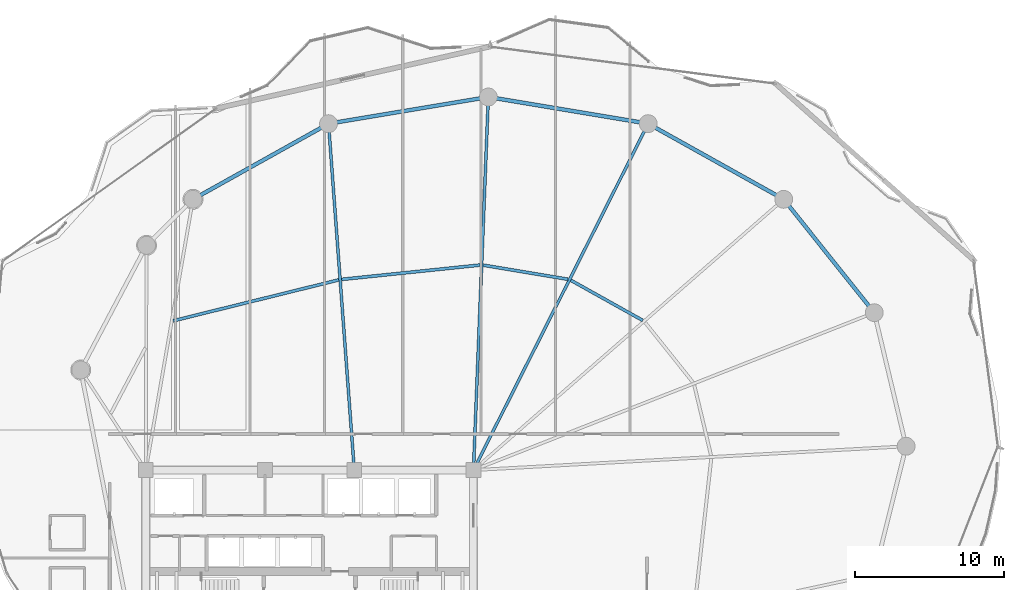
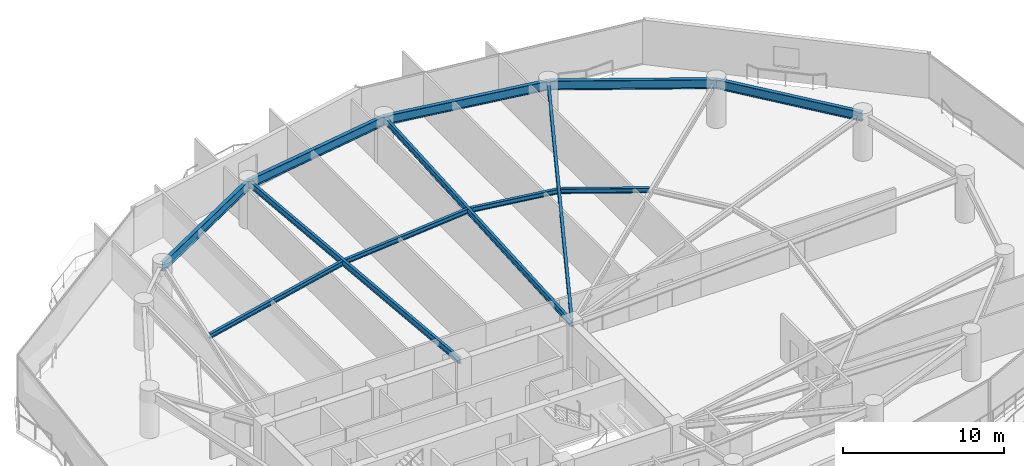
# One storey, part 20 of 33: 12 beams.
"""IFC4 building model written with IfcOpenShell, lengths in metres."""

import ifcopenshell
import ifcopenshell.guid

model = None  # the IFC model being written
_history = None  # IfcOwnerHistory: only IFC2X3 demands one
_inside = {}  # id of a spatial element -> (the spatial element, [elements in it])
_under = {}  # id of a project, library or spatial element -> (it, [spatial elements below it])
_declared = {}  # id of a project -> (the project, [libraries it declares])
_typed = {}  # id of a type object -> (the type object, [elements of that type])
_made_of = {}  # id of a material, layer set ... -> (it, [elements and type objects made of it])


def new_model(schema):
    """Start an empty IFC model of exactly this schema.

    Asked for "IFC4X3", IfcOpenShell would pick the latest addendum, in which some entities
    have other attributes; the version numbers below select the first issue.
    IFC2X3 requires an IfcOwnerHistory on every rooted entity: one is made here for all.
    """
    global model, _history
    if schema == "IFC4X3":
        model = ifcopenshell.file(schema_version=(4, 3, 0, 0))
    else:
        model = ifcopenshell.file(schema=schema)
    _inside.clear()
    _under.clear()
    _declared.clear()
    _typed.clear()
    _made_of.clear()
    _history = None
    if model.schema == "IFC2X3":
        org = make("IfcOrganization", Name="unknown")
        user = make(
            "IfcPersonAndOrganization",
            ThePerson=make("IfcPerson", FamilyName="unknown"),
            TheOrganization=org,
        )
        app = make(
            "IfcApplication",
            ApplicationDeveloper=org,
            Version="unknown",
            ApplicationFullName="unknown",
            ApplicationIdentifier="unknown",
        )
        _history = make(
            "IfcOwnerHistory",
            OwningUser=user,
            OwningApplication=app,
            ChangeAction="ADDED",
            CreationDate=0,
        )
    return model


def make(cls, **values):
    """One entity of the class cls with the attributes given. An attribute that is None is left unset."""
    return model.create_entity(
        cls, **{name: value for name, value in values.items() if value is not None}
    )


def rooted(cls, **values):
    """An entity with a GlobalId (a new one), such as an element, a storey or a relation."""
    return make(cls, GlobalId=ifcopenshell.guid.new(), OwnerHistory=_history, **values)


def si_unit(unit_type, name, prefix=None):
    """IfcSIUnit, for example si_unit("LENGTHUNIT", "METRE", prefix="MILLI")."""
    return make("IfcSIUnit", UnitType=unit_type, Prefix=prefix, Name=name)


def assignment(units):
    """IfcUnitAssignment: the units of a project."""
    return None if units is None else make("IfcUnitAssignment", Units=units)


def point(xyz):
    """IfcCartesianPoint."""
    return None if xyz is None else make("IfcCartesianPoint", Coordinates=xyz)


def direction(xyz):
    """IfcDirection."""
    return None if xyz is None else make("IfcDirection", DirectionRatios=xyz)


def frame(location, z_axis=None, x_axis=None):
    """IfcAxis2Placement3D, a coordinate frame: its origin and axes. An axis left out is left unset."""
    return make(
        "IfcAxis2Placement3D",
        Location=point(location),
        Axis=direction(z_axis),
        RefDirection=direction(x_axis),
    )


def frame_2d(location, x_axis=None):
    """IfcAxis2Placement2D, a coordinate frame in the plane: its origin and x axis."""
    return make(
        "IfcAxis2Placement2D", Location=point(location), RefDirection=direction(x_axis)
    )


def origin():
    """The frame at (0, 0, 0) with its axes left unset."""
    return frame((0.0, 0.0, 0.0))


def origin_2d():
    """The frame at (0, 0) in the plane with its x axis left unset."""
    return frame_2d((0.0, 0.0))


def place(relative_to, where):
    """IfcLocalPlacement: puts the frame where relative to a parent placement (None: the world)."""
    return make(
        "IfcLocalPlacement", PlacementRelTo=relative_to, RelativePlacement=where
    )


def context(
    kind, dimensions, precision=None, world=None, true_north=None, identifier=None
):
    """IfcGeometricRepresentationContext, for example the 3D "Model" context."""
    return make(
        "IfcGeometricRepresentationContext",
        ContextIdentifier=identifier,
        ContextType=kind,
        CoordinateSpaceDimension=dimensions,
        Precision=precision,
        WorldCoordinateSystem=world,
        TrueNorth=true_north,
    )


def subcontext(parent, identifier, kind, view, scale=None):
    """IfcGeometricRepresentationSubContext, for example "Body" below "Model"."""
    return make(
        "IfcGeometricRepresentationSubContext",
        ContextIdentifier=identifier,
        ContextType=kind,
        ParentContext=parent,
        TargetScale=scale,
        TargetView=view,
    )


def project(units=None, contexts=None):
    """IfcProject with its units and contexts."""
    return rooted(
        "IfcProject",
        Name="project",
        RepresentationContexts=contexts,
        UnitsInContext=assignment(units),
    )


def spatial(cls, under=None, at=None, **own):
    """A site, building, storey or space (cls), placed at a placement, below another one or the project."""
    s = rooted(cls, ObjectPlacement=at, **own)
    if under is not None:
        _under.setdefault(under.id(), (under, []))[1].append(s)
    return s


def profile(cls, at=None, kind="AREA", **sizes):
    """A parametric profile (cls). Its sizes go by their IFC names, for example OverallWidth=200.0."""
    return make(cls, ProfileType=kind, Position=at, **sizes)


def i_section(**sizes):
    """IfcIShapeProfileDef."""
    return profile("IfcIShapeProfileDef", **sizes)


def extrude(swept, where, along, depth):
    """IfcExtrudedAreaSolid: the profile swept, set in the frame where, extruded along a direction by depth."""
    return make(
        "IfcExtrudedAreaSolid",
        SweptArea=swept,
        Position=where,
        ExtrudedDirection=direction(along),
        Depth=depth,
    )


def shape(context_of_items, identifier, shape_type, items):
    """IfcShapeRepresentation: the items that make up one representation, for example the "Body"."""
    return make(
        "IfcShapeRepresentation",
        ContextOfItems=context_of_items,
        RepresentationIdentifier=identifier,
        RepresentationType=shape_type,
        Items=items,
    )


def material(Name=None, Category=None):
    """IfcMaterial."""
    return make("IfcMaterial", Name=Name, Category=Category)


def material_profile(
    of_material, cross_section, Name=None, Category=None, Priority=None
):
    """IfcMaterialProfile: a cross section and its material."""
    return make(
        "IfcMaterialProfile",
        Name=Name,
        Material=of_material,
        Profile=cross_section,
        Priority=Priority,
        Category=Category,
    )


def profile_set(profiles, Name=None, composite=None):
    """IfcMaterialProfileSet."""
    return make(
        "IfcMaterialProfileSet",
        Name=Name,
        MaterialProfiles=profiles,
        CompositeProfile=composite,
    )


def made_of(thing, what):
    """Note that an element or type object is made of a material, layer set ...; save() writes the relation."""
    if what is not None:
        _made_of.setdefault(what.id(), (what, []))[1].append(thing)
    return thing


def type_object(cls, material=None, **own):
    """A type object (cls), such as IfcWallType, which elements share."""
    return made_of(rooted(cls, **own), material)


def element(
    cls,
    number,
    at=None,
    inside=None,
    cuts=None,
    type_object=None,
    material=None,
    context=None,
    identifier="Body",
    shape_type=None,
    held_by="IfcProductDefinitionShape",
    body=None,
    shapes=None,
    **own,
):
    """One element of the class cls, such as IfcWall. Its Tag is "e" and its number.

    at: its placement. inside: the storey or other place that contains it. cuts: it is an
    opening in that element (IfcRelVoidsElement). A single representation is given by context,
    identifier, shape_type and body (its items); several are given by shapes. held_by: the class
    of the entity that holds the representations. save() writes the other relations.
    """
    e = rooted(cls, Tag="e%d" % number, ObjectPlacement=at, **own)
    if body is not None:
        shapes = [shape(context, identifier, shape_type, body)]
    if shapes is not None:
        e.Representation = make(held_by, Representations=shapes)
    if inside is not None:
        _inside.setdefault(inside.id(), (inside, []))[1].append(e)
    if cuts is not None:
        rooted(
            "IfcRelVoidsElement", RelatingBuildingElement=cuts, RelatedOpeningElement=e
        )
    if type_object is not None:
        _typed.setdefault(type_object.id(), (type_object, []))[1].append(e)
    return made_of(e, material)


def aggregate(whole, parts):
    """IfcRelAggregates: a whole, such as a stair, and the parts it consists of."""
    return rooted("IfcRelAggregates", RelatingObject=whole, RelatedObjects=parts)


def save(model, path):
    """Write the relations noted so far, then the file.

    IfcRelAggregates (storeys below a building ...), IfcRelContainedInSpatialStructure (elements
    in a storey), IfcRelDefinesByType, IfcRelAssociatesMaterial and IfcRelDeclares: one each for
    every whole, place, type object, material and project.
    """
    for whole, parts in _under.values():
        aggregate(whole, parts)
    for where, things in _inside.values():
        rooted(
            "IfcRelContainedInSpatialStructure",
            RelatedElements=things,
            RelatingStructure=where,
        )
    for kind, things in _typed.values():
        rooted("IfcRelDefinesByType", RelatedObjects=things, RelatingType=kind)
    for what, things in _made_of.values():
        rooted("IfcRelAssociatesMaterial", RelatedObjects=things, RelatingMaterial=what)
    for by, libraries in _declared.values():
        rooted("IfcRelDeclares", RelatingContext=by, RelatedDefinitions=libraries)
    model.write(path)


model = new_model("IFC4")

# Units and contexts
model_context = context("Model", 3, precision=1e-05, world=origin(), true_north=direction((0.0, 1.0)))
body_context = subcontext(model_context, "Body", "Model", "MODEL_VIEW")
ifc_project = project(units=[si_unit("LENGTHUNIT", "METRE"), si_unit("AREAUNIT", "SQUARE_METRE"), si_unit("VOLUMEUNIT", "CUBIC_METRE"), si_unit("PLANEANGLEUNIT", "RADIAN"), si_unit("MASSUNIT", "GRAM", prefix="KILO")], contexts=[model_context])

# Site, building, storey
site_placement = place(None, origin())
site = spatial("IfcSite", under=ifc_project, at=site_placement, CompositionType="ELEMENT")
building_placement = place(site_placement, origin())
building = spatial("IfcBuilding", under=site, at=building_placement, Name="Kazevale Care Tower and Concert Hall", CompositionType="ELEMENT")
storey_placement = place(building_placement, frame((0.0, 0.0, 149.39990234375)))
storey = spatial("IfcBuildingStorey", under=building, at=storey_placement, Name="L39", CompositionType="ELEMENT", Elevation=149.39990234375)

# Beams
ifc_material = material(Name="Steel ASTM A572 Gr 50", Category="steel")
ifc_material_profile_1 = material_profile(ifc_material, i_section(OverallWidth=0.19091796875, OverallDepth=0.4599609375, WebThickness=0.010009765625, FlangeThickness=0.01611328125, at=origin_2d()), Name="W460x82")
ifc_profile_set_1 = profile_set([ifc_material_profile_1], Name="Steel ASTM A572 Gr 50")
beam_type_1 = type_object("IfcBeamType", Name="Radial Floor Beam W460x82", PredefinedType="BEAM", material=ifc_profile_set_1)
beam_1_placement = place(storey_placement, frame((44.0, 36.39990234375, 3.130126953125), z_axis=(0.450281187568, 0.892886808124, 0.0), x_axis=(-0.892886808124, 0.450281187568, 0.0)))
element("IfcBeam", 1, at=beam_1_placement, inside=storey, type_object=beam_type_1, Name="beam:L39:rad:04", PredefinedType="BEAM", context=body_context, shape_type="SweptSolid", body=[
    extrude(i_section(OverallWidth=0.19091796875, OverallDepth=0.4599609375, WebThickness=0.010009765625, FlangeThickness=0.01611328125, at=origin_2d()), origin(), (0.0, 0.0, 1.0), 26.05029296875),
])
beam_2_placement = place(storey_placement, frame((44.0, 36.39990234375, 3.130126953125), z_axis=(0.039888311255, 0.99920414462, 0.0), x_axis=(-0.99920414462, 0.039888311255, 0.0)))
element("IfcBeam", 2, at=beam_2_placement, inside=storey, type_object=beam_type_1, Name="beam:L39:rad:05", PredefinedType="BEAM", context=body_context, shape_type="SweptSolid", body=[
    extrude(i_section(OverallWidth=0.19091796875, OverallDepth=0.4599609375, WebThickness=0.010009765625, FlangeThickness=0.01611328125, at=origin_2d()), origin(), (0.0, 0.0, 1.0), 25.070068359375),
])
beam_3_placement = place(storey_placement, frame((36.0, 36.39990234375, 3.130126953125), z_axis=(-0.074170876808, 0.997245547011, 0.0), x_axis=(-0.997245547011, -0.074170876808, 0.0)))
element("IfcBeam", 3, at=beam_3_placement, inside=storey, type_object=beam_type_1, Name="beam:L39:rad:06", PredefinedType="BEAM", context=body_context, shape_type="SweptSolid", body=[
    extrude(i_section(OverallWidth=0.19091796875, OverallDepth=0.4599609375, WebThickness=0.010009765625, FlangeThickness=0.01611328125, at=origin_2d()), origin(), (0.0, 0.0, 1.0), 23.32421875),
])
ifc_material_profile_2 = material_profile(ifc_material, i_section(OverallWidth=0.205078125, OverallDepth=0.35400390625, WebThickness=0.009521484375, FlangeThickness=0.016845703125, at=origin_2d()), Name="W360x79")
ifc_profile_set_2 = profile_set([ifc_material_profile_2], Name="Steel ASTM A572 Gr 50")
beam_type_2 = type_object("IfcBeamType", Name="Secondary Floor Joist W360x79", PredefinedType="JOIST", material=ifc_profile_set_2)
beam_4_placement = place(storey_placement, frame((55.364990234375, 46.449951171875, 3.18310546875), z_axis=(-0.873137755824, 0.487473547338, 0.0), x_axis=(-0.487473547338, -0.873137755824, 0.0)))
element("IfcBeam", 4, at=beam_4_placement, inside=storey, type_object=beam_type_2, Name="beam:L39:joist:03", PredefinedType="JOIST", context=body_context, shape_type="SweptSolid", body=[
    extrude(i_section(OverallWidth=0.205078125, OverallDepth=0.35400390625, WebThickness=0.009521484375, FlangeThickness=0.016845703125, at=origin_2d()), origin(), (0.0, 0.0, 1.0), 5.522705078125),
])
beam_5_placement = place(storey_placement, frame((50.347900390625, 49.2099609375, 3.18310546875), z_axis=(-0.986366476547, 0.164563586324, 0.0), x_axis=(-0.164563586324, -0.986366476547, 0.0)))
element("IfcBeam", 5, at=beam_5_placement, inside=storey, type_object=beam_type_2, Name="beam:L39:joist:04", PredefinedType="JOIST", context=body_context, shape_type="SweptSolid", body=[
    extrude(i_section(OverallWidth=0.205078125, OverallDepth=0.35400390625, WebThickness=0.009521484375, FlangeThickness=0.016845703125, at=origin_2d()), origin(), (0.0, 0.0, 1.0), 5.7724609375),
])
beam_6_placement = place(storey_placement, frame((44.446044921875, 50.1669921875, 3.18310546875), z_axis=(-0.994674810104, -0.10306319491, 0.0), x_axis=(0.10306319491, -0.994674810104, 0.0)))
element("IfcBeam", 6, at=beam_6_placement, inside=storey, type_object=beam_type_2, Name="beam:L39:joist:05", PredefinedType="JOIST", context=body_context, shape_type="SweptSolid", body=[
    extrude(i_section(OverallWidth=0.205078125, OverallDepth=0.35400390625, WebThickness=0.009521484375, FlangeThickness=0.016845703125, at=origin_2d()), origin(), (0.0, 0.0, 1.0), 9.3427734375),
])
beam_7_placement = place(storey_placement, frame((34.947021484375, 49.16796875, 3.18310546875), z_axis=(-0.970789504014, -0.239932779954, 0.0), x_axis=(0.239932779954, -0.970789504014, 0.0)))
element("IfcBeam", 7, at=beam_7_placement, inside=storey, type_object=beam_type_2, Name="beam:L39:joist:06", PredefinedType="JOIST", context=body_context, shape_type="SweptSolid", body=[
    extrude(i_section(OverallWidth=0.205078125, OverallDepth=0.35400390625, WebThickness=0.009521484375, FlangeThickness=0.016845703125, at=origin_2d()), origin(), (0.0, 0.0, 1.0), 11.43603515625),
])
ifc_material_profile_3 = material_profile(ifc_material, i_section(OverallWidth=0.256103515625, OverallDepth=0.693115234375, WebThickness=0.014404296875, FlangeThickness=0.023681640625, at=origin_2d()), Name="W690x170")
ifc_profile_set_3 = profile_set([ifc_material_profile_3], Name="Steel ASTM A572 Gr 50")
beam_type_3 = type_object("IfcBeamType", Name="Waist Ring Beam W690x170", PredefinedType="BEAM", material=ifc_profile_set_3)
beam_8_placement = place(storey_placement, frame((70.909912109375, 46.969970703125, 3.013671875), z_axis=(-0.624178340034, 0.781281895242, 0.0), x_axis=(-0.781281895242, -0.624178340034, 0.0)))
element("IfcBeam", 8, at=beam_8_placement, inside=storey, type_object=beam_type_3, Name="beam:L39:ring:02", PredefinedType="BEAM", context=body_context, shape_type="SweptSolid", body=[
    extrude(i_section(OverallWidth=0.256103515625, OverallDepth=0.693115234375, WebThickness=0.014404296875, FlangeThickness=0.023681640625, at=origin_2d()), origin(), (0.0, 0.0, 1.0), 9.740478515625),
])
beam_9_placement = place(storey_placement, frame((64.830078125, 54.580078125, 3.013671875), z_axis=(-0.873168720251, 0.487418081297, 0.0), x_axis=(-0.487418081297, -0.873168720251, 0.0)))
element("IfcBeam", 9, at=beam_9_placement, inside=storey, type_object=beam_type_3, Name="beam:L39:ring:03", PredefinedType="BEAM", context=body_context, shape_type="SweptSolid", body=[
    extrude(i_section(OverallWidth=0.256103515625, OverallDepth=0.693115234375, WebThickness=0.014404296875, FlangeThickness=0.023681640625, at=origin_2d()), origin(), (0.0, 0.0, 1.0), 10.421875),
])
for number, where, z_axis, x_axis, name in (
    (10, (55.72998046875, 59.659912109375, 3.013671875), (-0.986368436187, 0.164551840139, 0.0), (-0.164551840139, -0.986368436187, 0.0), "beam:L39:ring:04"),
    (11, (45.0, 61.449951171875, 3.013671875), (-0.986368436187, -0.164551840139, 0.0), (0.164551840139, -0.986368436187, 0.0), "beam:L39:ring:05"),
):
    element("IfcBeam", number, at=place(storey_placement, frame(where, z_axis=z_axis, x_axis=x_axis)), inside=storey, type_object=beam_type_3, Name=name, PredefinedType="BEAM", context=body_context, shape_type="SweptSolid", body=[
        extrude(i_section(OverallWidth=0.256103515625, OverallDepth=0.693115234375, WebThickness=0.014404296875, FlangeThickness=0.023681640625, at=origin_2d()), origin(), (0.0, 0.0, 1.0), 10.878173828125),
    ])
beam_10_placement = place(storey_placement, frame((34.27001953125, 59.659912109375, 3.013671875), z_axis=(-0.873168720251, -0.487418081297, 0.0), x_axis=(0.487418081297, -0.873168720251, 0.0)))
element("IfcBeam", 12, at=beam_10_placement, inside=storey, type_object=beam_type_3, Name="beam:L39:ring:06", PredefinedType="BEAM", context=body_context, shape_type="SweptSolid", body=[
    extrude(i_section(OverallWidth=0.256103515625, OverallDepth=0.693115234375, WebThickness=0.014404296875, FlangeThickness=0.023681640625, at=origin_2d()), origin(), (0.0, 0.0, 1.0), 10.421875),
])

save(model, "model.ifc")
